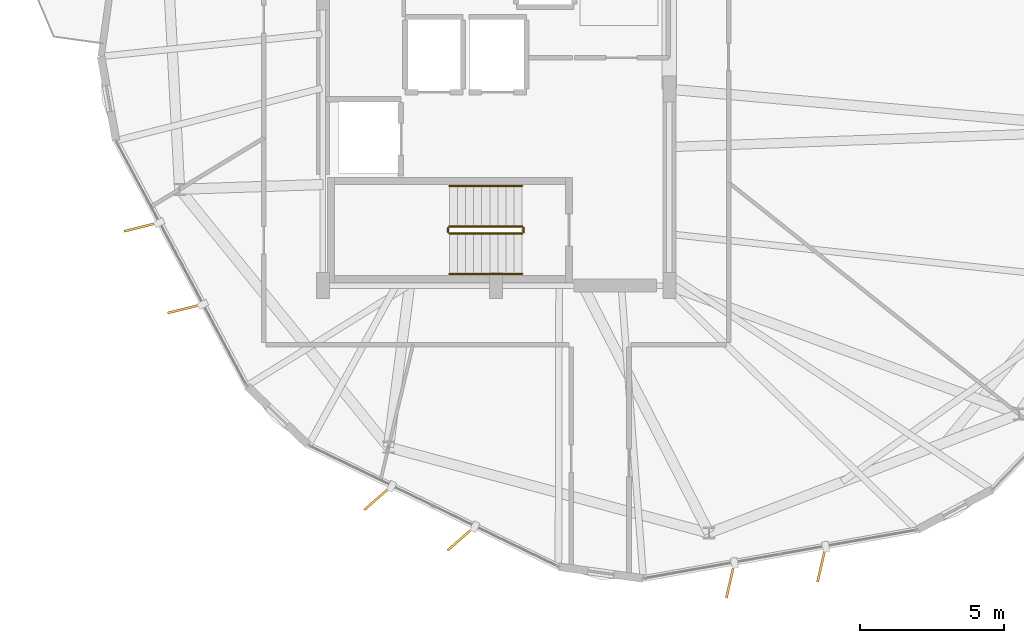
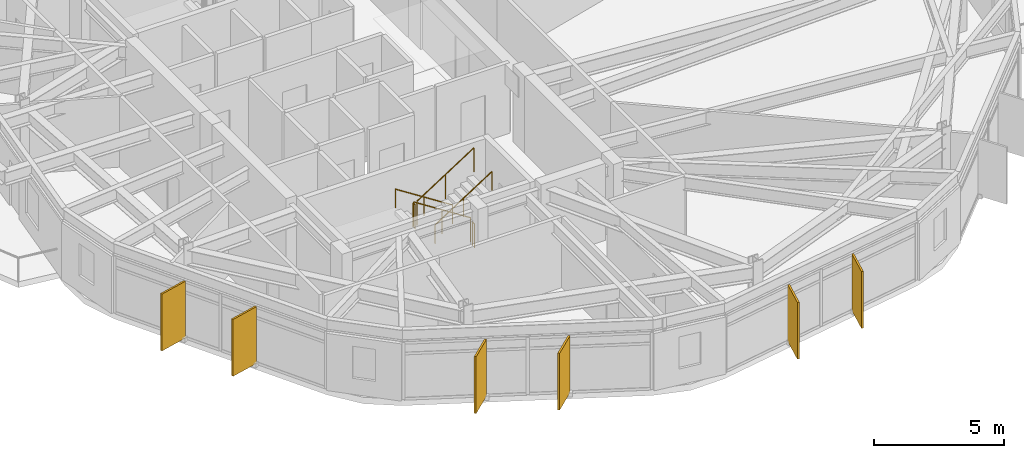
# One storey, part 26 of 28: 6 railings, 6 shading devices.
"""IFC4 building model written with IfcOpenShell, lengths in metres."""

from ifc_helpers import new_model, si_unit, direction, frame, origin, origin_2d, place, context, subcontext, project, spatial, rectangle, circle, extrude, material, layer, layer_set, type_object, element, save


model = new_model("IFC4")

# Units and contexts
model_context = context("Model", 3, precision=1e-05, world=origin(), true_north=direction((0.0, 1.0)))
body_context = subcontext(model_context, "Body", "Model", "MODEL_VIEW")
ifc_project = project(units=[si_unit("LENGTHUNIT", "METRE"), si_unit("AREAUNIT", "SQUARE_METRE"), si_unit("VOLUMEUNIT", "CUBIC_METRE"), si_unit("PLANEANGLEUNIT", "RADIAN"), si_unit("MASSUNIT", "GRAM", prefix="KILO")], contexts=[model_context])

# Site, building, storey
site_placement = place(None, origin())
site = spatial("IfcSite", under=ifc_project, at=site_placement, CompositionType="ELEMENT")
building_placement = place(site_placement, origin())
building = spatial("IfcBuilding", under=site, at=building_placement, Name="Soratama Intermodal Tower", CompositionType="ELEMENT")
storey_placement = place(building_placement, frame((0.0, 0.0, 205.0)))
storey = spatial("IfcBuildingStorey", under=building, at=storey_placement, Name="L51", CompositionType="ELEMENT", Elevation=205.0)

# Railings
ifc_material_1 = material(Name="Painted steel stair guardrail", Category="steel")
railing_type_1 = type_object("IfcRailingType", Name="RL-STAIR-GUARD", PredefinedType="GUARDRAIL", material=ifc_material_1)
railing_1_placement = place(storey_placement, frame((39.5, 17.050048828125, 0.179931640625)))
element("IfcRailing", 1, at=railing_1_placement, inside=storey, type_object=railing_type_1, Name="L51 ST-1 stair guard 1", PredefinedType="GUARDRAIL", context=body_context, shape_type="SweptSolid", body=[
    extrude(circle(Radius=0.02392578125, at=origin_2d()), frame((0.0, 0.0, 1.1259765625), z_axis=(-0.841162588446, 0.0, 0.540782303519), x_axis=(0.0, -1.0, 0.0)), (0.0, 0.0, 1.0), 2.995849609375),
    extrude(circle(Radius=0.02099609375, at=origin_2d()), origin(), (0.0, 0.0, 1.0), 1.101806640625),
    extrude(circle(Radius=0.02099609375, at=origin_2d()), frame((-1.260009765625, 0.0, 0.81005859375)), (0.0, 0.0, 1.0), 1.101806640625),
    extrude(circle(Radius=0.02099609375, at=origin_2d()), frame((-2.52001953125, 0.0, 1.6201171875)), (0.0, 0.0, 1.0), 1.101806640625),
])
railing_2_placement = place(storey_placement, frame((36.929931640625, 17.0, 1.800048828125)))
element("IfcRailing", 2, at=railing_2_placement, inside=storey, type_object=railing_type_1, Name="L51 ST-1 stair guard 2", PredefinedType="GUARDRAIL", context=body_context, shape_type="SweptSolid", body=[
    extrude(circle(Radius=0.02392578125, at=origin_2d()), frame((0.0, 0.0, 1.1259765625), z_axis=(0.0, -1.0, 0.0), x_axis=(1.0, 0.0, 0.0)), (0.0, 0.0, 1.0), 0.14990234375),
    extrude(circle(Radius=0.02099609375, at=origin_2d()), origin(), (0.0, 0.0, 1.0), 1.101806640625),
    extrude(circle(Radius=0.02099609375, at=origin_2d()), frame((0.0, -0.14990234375, 0.0)), (0.0, 0.0, 1.0), 1.101806640625),
])
railing_3_placement = place(storey_placement, frame((36.97998046875, 16.800048828125, 1.97998046875)))
element("IfcRailing", 3, at=railing_3_placement, inside=storey, type_object=railing_type_1, Name="L51 ST-1 stair guard 3", PredefinedType="GUARDRAIL", context=body_context, shape_type="SweptSolid", body=[
    extrude(circle(Radius=0.02392578125, at=origin_2d()), frame((0.0, 0.0, 1.1259765625), z_axis=(0.841162588446, 0.0, 0.540782303519), x_axis=(0.0, 1.0, 0.0)), (0.0, 0.0, 1.0), 2.995849609375),
    extrude(circle(Radius=0.02099609375, at=origin_2d()), origin(), (0.0, 0.0, 1.0), 1.101806640625),
    extrude(circle(Radius=0.02099609375, at=origin_2d()), frame((1.260009765625, 0.0, 0.81005859375)), (0.0, 0.0, 1.0), 1.101806640625),
    extrude(circle(Radius=0.02099609375, at=origin_2d()), frame((2.52001953125, 0.0, 1.6201171875)), (0.0, 0.0, 1.0), 1.101806640625),
])
railing_4_placement = place(storey_placement, frame((39.550048828125, 17.0, 0.0)))
element("IfcRailing", 4, at=railing_4_placement, inside=storey, type_object=railing_type_1, Name="L51 ST-1 stair guard 4", PredefinedType="GUARDRAIL", context=body_context, shape_type="SweptSolid", body=[
    extrude(circle(Radius=0.02392578125, at=origin_2d()), frame((0.0, 0.0, 1.1259765625), z_axis=(0.0, -1.0, 0.0), x_axis=(1.0, 0.0, 0.0)), (0.0, 0.0, 1.0), 0.14990234375),
    extrude(circle(Radius=0.02099609375, at=origin_2d()), origin(), (0.0, 0.0, 1.0), 1.101806640625),
    extrude(circle(Radius=0.02099609375, at=origin_2d()), frame((0.0, -0.14990234375, 0.0)), (0.0, 0.0, 1.0), 1.101806640625),
])
ifc_material_2 = material(Name="Brushed stainless steel handrail", Category="steel")
railing_type_2 = type_object("IfcRailingType", Name="RL-STAIR-HAND", PredefinedType="HANDRAIL", material=ifc_material_2)
railing_5_placement = place(storey_placement, frame((39.5, 18.449951171875, 0.179931640625)))
element("IfcRailing", 5, at=railing_5_placement, inside=storey, type_object=railing_type_2, Name="L51 ST-1 stair handrail 1", PredefinedType="HANDRAIL", context=body_context, shape_type="SweptSolid", body=[
    extrude(circle(Radius=0.02392578125, at=origin_2d()), frame((0.0, 0.0, 0.8759765625), z_axis=(-0.841162588446, 0.0, 0.540782303519), x_axis=(0.0, -1.0, 0.0)), (0.0, 0.0, 1.0), 2.995849609375),
    extrude(circle(Radius=0.02099609375, at=origin_2d()), origin(), (0.0, 0.0, 1.0), 0.851806640625),
    extrude(circle(Radius=0.02099609375, at=origin_2d()), frame((-1.260009765625, 0.0, 0.81005859375)), (0.0, 0.0, 1.0), 0.851806640625),
    extrude(circle(Radius=0.02099609375, at=origin_2d()), frame((-2.52001953125, 0.0, 1.6201171875)), (0.0, 0.0, 1.0), 0.851806640625),
])
railing_6_placement = place(storey_placement, frame((36.97998046875, 15.39990234375, 1.97998046875)))
element("IfcRailing", 6, at=railing_6_placement, inside=storey, type_object=railing_type_2, Name="L51 ST-1 stair handrail 2", PredefinedType="HANDRAIL", context=body_context, shape_type="SweptSolid", body=[
    extrude(circle(Radius=0.02392578125, at=origin_2d()), frame((0.0, 0.0, 0.8759765625), z_axis=(0.841162588446, 0.0, 0.540782303519), x_axis=(0.0, 1.0, 0.0)), (0.0, 0.0, 1.0), 2.995849609375),
    extrude(circle(Radius=0.02099609375, at=origin_2d()), origin(), (0.0, 0.0, 1.0), 0.851806640625),
    extrude(circle(Radius=0.02099609375, at=origin_2d()), frame((1.260009765625, 0.0, 0.81005859375)), (0.0, 0.0, 1.0), 0.851806640625),
    extrude(circle(Radius=0.02099609375, at=origin_2d()), frame((2.52001953125, 0.0, 1.6201171875)), (0.0, 0.0, 1.0), 0.851806640625),
])

# Shading devices
ifc_material_3 = material(Name="Champagne anodised aluminium solar fin", Category="aluminium")
ifc_layer = layer(ifc_material_3, 0.080078125)
ifc_layer_set = layer_set([ifc_layer], Name="Champagne anodised aluminium solar fin")
shading_device_type = type_object("IfcShadingDeviceType", Name="SH-FIN-1250", PredefinedType="USERDEFINED", material=ifc_layer_set)
for number, where, z_axis, x_axis, name in (
    (7, (26.3173828125, 17.029052734375, 0.02001953125), (0.0, 0.0, 1.0), (-0.970422263272, -0.241413816807, 0.0), "L51 Solar Fin F05-1"),
    (8, (27.827392578125, 14.198486328125, 0.02001953125), (0.0, 0.0, 1.0), (-0.970422263272, -0.241413816807, 0.0), "L51 Solar Fin F05-2"),
    (9, (34.50048828125, 7.638671875, 0.02001953125), (0.0, 0.0, 1.0), (-0.751839807479, -0.6593458151, 0.0), "L51 Solar Fin F06-1"),
    (10, (37.385986328125, 6.236328125, 0.02001953125), (0.0, 0.0, 1.0), (-0.751839807479, -0.6593458151, 0.0), "L51 Solar Fin F06-2"),
    (11, (46.710693359375, 4.782958984375, 0.02001953125), (0.0, 0.0, 1.0), (-0.220697435022, -0.975342320509, 0.0), "L51 Solar Fin F07-1"),
    (12, (49.869140625, 5.344482421875, 0.02001953125), (0.0, 0.0, 1.0), (-0.220697435022, -0.975342320509, 0.0), "L51 Solar Fin F07-2"),
):
    element("IfcShadingDevice", number, at=place(storey_placement, frame(where, z_axis=z_axis, x_axis=x_axis)), inside=storey, type_object=shading_device_type, Name=name, ObjectType="FIN", PredefinedType="USERDEFINED", context=body_context, shape_type="SweptSolid", body=[
        extrude(rectangle(XDim=1.25, YDim=0.080078125, at=origin_2d()), origin(), (0.0, 0.0, 1.0), 2.658935546875),
    ])

save(model, "model.ifc")
